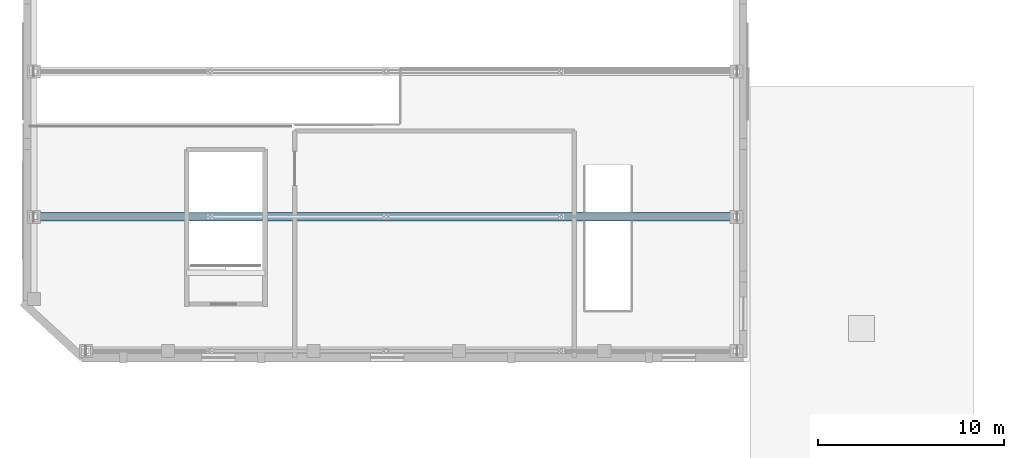
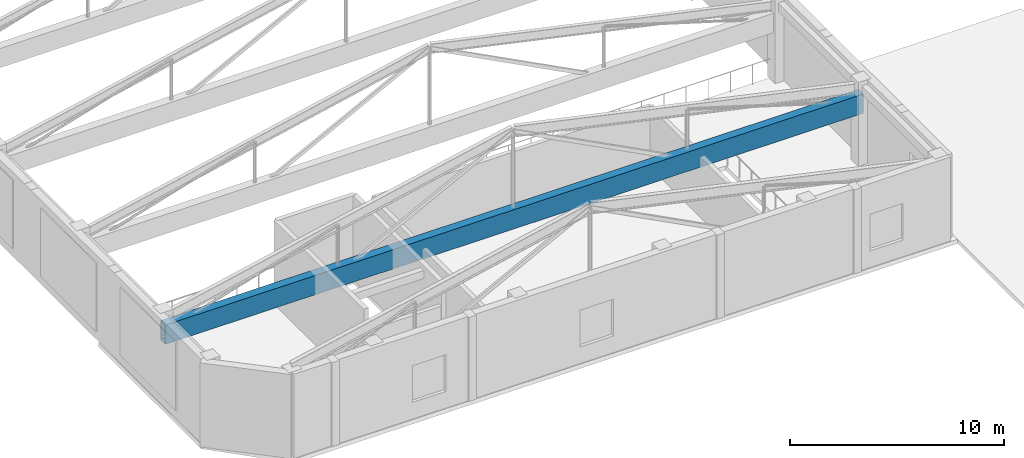
# One storey, part 19 of 105: 1 beam.
"""IFC4 building model written with IfcOpenShell, lengths in metres."""

from ifc_helpers import new_model, si_unit, direction, frame, origin, origin_2d, place, context, subcontext, project, spatial, hollow_rectangle, extrude, material, material_profile, profile_set, type_object, element, save


model = new_model("IFC4")

# Units and contexts
model_context = context("Model", 3, precision=1e-05, world=origin(), true_north=direction((0.0, 1.0)))
body_context = subcontext(model_context, "Body", "Model", "MODEL_VIEW")
ifc_project = project(units=[si_unit("LENGTHUNIT", "METRE"), si_unit("AREAUNIT", "SQUARE_METRE"), si_unit("VOLUMEUNIT", "CUBIC_METRE"), si_unit("PLANEANGLEUNIT", "RADIAN"), si_unit("MASSUNIT", "GRAM", prefix="KILO")], contexts=[model_context])

# Site, building, storey
site_placement = place(None, origin())
site = spatial("IfcSite", under=ifc_project, at=site_placement, CompositionType="ELEMENT")
building_placement = place(site_placement, origin())
building = spatial("IfcBuilding", under=site, at=building_placement, Name="Pelvatis Terrace Science Centre", CompositionType="ELEMENT")
storey_placement = place(building_placement, frame((0.0, 0.0, 10.199951171875)))
storey = spatial("IfcBuildingStorey", under=building, at=storey_placement, Name="L02", CompositionType="ELEMENT", Elevation=10.199951171875)

# Beam
ifc_material = material(Name="Structural steel S355", Category="steel")
ifc_material_profile = material_profile(ifc_material, hollow_rectangle(XDim=0.449951171875, YDim=1.10009765625, WallThickness=0.02197265625, at=origin_2d()), Name="RHS 1100x450x22.0")
ifc_profile_set = profile_set([ifc_material_profile], Name="Structural steel S355")
beam_type = type_object("IfcBeamType", Name="BM-STL-BOX1100", PredefinedType="BEAM", material=ifc_profile_set)
beam_placement = place(storey_placement, frame((8.39990234375, 78.0, 3.400146484375), z_axis=(1.0, 0.0, 0.0), x_axis=(0.0, 1.0, 0.0)))
element("IfcBeam", 1, at=beam_placement, inside=storey, type_object=beam_type, Name="Theatre roof truss 2 bottom tie girder", PredefinedType="BEAM", context=body_context, shape_type="SweptSolid", body=[
    extrude(hollow_rectangle(XDim=0.449951171875, YDim=1.10009765625, WallThickness=0.02197265625, at=origin_2d()), origin(), (0.0, 0.0, 1.0), 37.7001953125),
])

save(model, "model.ifc")
